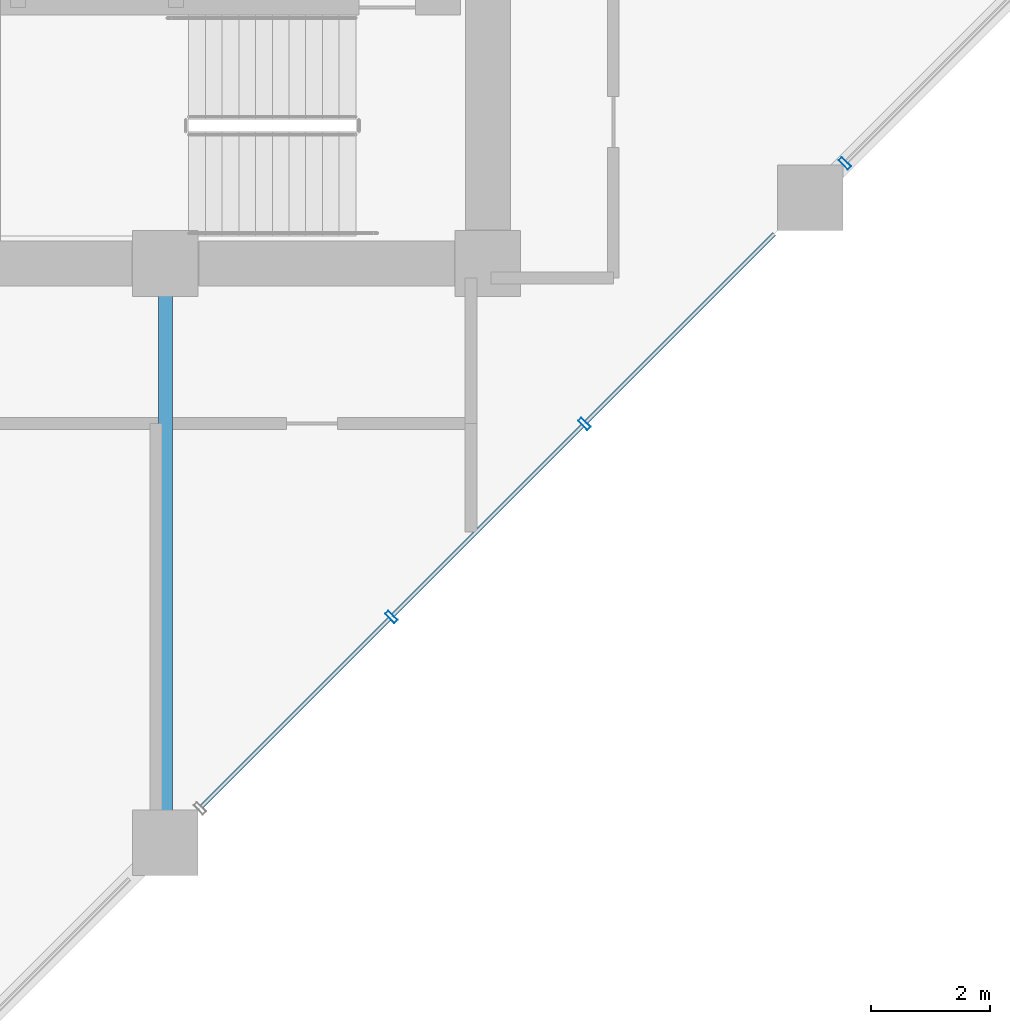
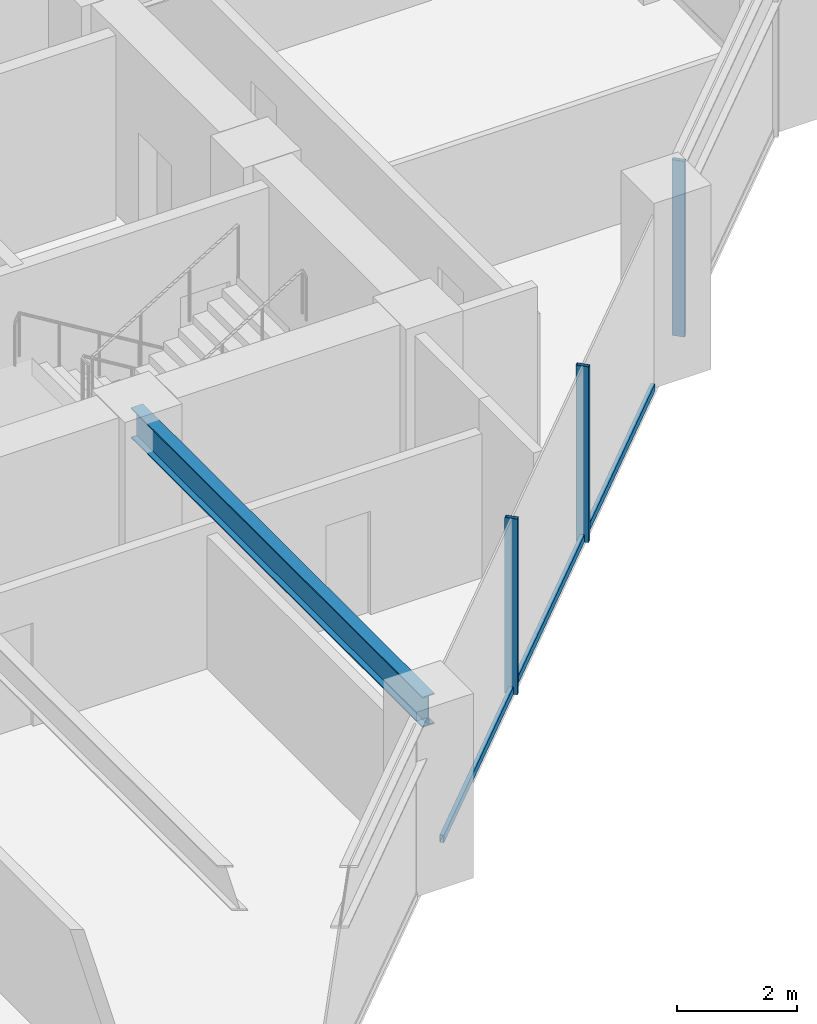
# One storey, part 9 of 29: 6 members, 1 beam, 1 element without a shape of its own.
"""IFC4 building model written with IfcOpenShell, lengths in metres."""

from ifc_helpers import new_model, si_unit, direction, frame, origin, origin_2d, place, context, subcontext, project, spatial, hollow_rectangle, i_section, extrude, material, layer, layer_set, material_profile, profile_set, type_object, element, aggregate, save


model = new_model("IFC4")

# Units and contexts
model_context = context("Model", 3, precision=1e-05, world=origin(), true_north=direction((0.0, 1.0)))
body_context = subcontext(model_context, "Body", "Model", "MODEL_VIEW")
ifc_project = project(units=[si_unit("LENGTHUNIT", "METRE"), si_unit("AREAUNIT", "SQUARE_METRE"), si_unit("VOLUMEUNIT", "CUBIC_METRE"), si_unit("PLANEANGLEUNIT", "RADIAN"), si_unit("MASSUNIT", "GRAM", prefix="KILO")], contexts=[model_context])

# Site, building, storey
site_placement = place(None, origin())
site = spatial("IfcSite", under=ifc_project, at=site_placement, CompositionType="ELEMENT")
building_placement = place(site_placement, origin())
building = spatial("IfcBuilding", under=site, at=building_placement, Name="Surkhivell Harbour Commons", CompositionType="ELEMENT")
storey_placement = place(building_placement, frame((0.0, 0.0, 87.0)))
storey = spatial("IfcBuildingStorey", under=building, at=storey_placement, Name="L22", CompositionType="ELEMENT", Elevation=87.0)

# Beam
ifc_material_1 = material(Name="Steel S355", Category="steel")
ifc_material_profile_1 = material_profile(ifc_material_1, i_section(OverallWidth=0.22998046875, OverallDepth=0.616943359375, WebThickness=0.01318359375, FlangeThickness=0.022216796875, at=origin_2d()), Name="UB610x229x140")
ifc_profile_set_1 = profile_set([ifc_material_profile_1], Name="Steel S355")
beam_type = type_object("IfcBeamType", Name="BM-GRD-610B", PredefinedType="BEAM", material=ifc_profile_set_1)
beam_placement = place(storey_placement, frame((5.39990234375, -20.5, 3.261474609375), z_axis=(0.0, 1.0, 0.0), x_axis=(-1.0, 0.0, 0.0)))
element("IfcBeam", 1, at=beam_placement, inside=storey, type_object=beam_type, Name="L22 Floor Girder (5.4,-20.5)", PredefinedType="BEAM", context=body_context, shape_type="SweptSolid", body=[
    extrude(i_section(OverallWidth=0.22998046875, OverallDepth=0.616943359375, WebThickness=0.01318359375, FlangeThickness=0.022216796875, at=origin_2d()), origin(), (0.0, 0.0, 1.0), 9.699951171875),
])

# Curtain wall, members
ifc_material_2 = material(Name="Anodised pale-metal aluminium and insulated glazing", Category="aluminium")
ifc_layer = layer(ifc_material_2, 0.205078125)
ifc_layer_set = layer_set([ifc_layer], Name="Anodised pale-metal aluminium and insulated glazing")
curtain_wall_type = type_object("IfcCurtainWallType", Name="CW-SYS-Z2", PredefinedType="NOTDEFINED", material=ifc_layer_set)
curtain_wall_placement = place(storey_placement, origin())
curtain_wall = element("IfcCurtainWall", 2, at=curtain_wall_placement, inside=storey, type_object=curtain_wall_type, Name="L22 Curtain Wall CW-L22-E01", PredefinedType="NOTDEFINED")
ifc_material_3 = material(Name="Anodised pale-metal aluminium alloy 6063-T6", Category="aluminium")
ifc_material_profile_2 = material_profile(ifc_material_3, hollow_rectangle(XDim=0.074951171875, YDim=0.219970703125, WallThickness=0.00390625, at=origin_2d()), Name="ALU-MULL-75x220")
ifc_profile_set_2 = profile_set([ifc_material_profile_2], Name="Anodised pale-metal aluminium alloy 6063-T6")
member_type_1 = type_object("IfcMemberType", Name="CWM-220", PredefinedType="MULLION", material=ifc_profile_set_2)
member_1_placement = place(storey_placement, frame((9.183837890625, -16.716064453125, 0.0), z_axis=(0.0, 0.0, 1.0), x_axis=(0.707106781187, 0.707106781187, 0.0)))
member_1 = element("IfcMember", 3, at=member_1_placement, type_object=member_type_1, Name="CW-Z2 mullion 3", PredefinedType="MULLION", context=body_context, shape_type="SweptSolid", body=[
    extrude(hollow_rectangle(XDim=0.074951171875, YDim=0.219970703125, WallThickness=0.00390625, at=origin_2d()), origin(), (0.0, 0.0, 1.0), 3.570068359375),
])
member_2_placement = place(storey_placement, frame((12.416015625, -13.48388671875, 0.0), z_axis=(0.0, 0.0, 1.0), x_axis=(0.707106781187, 0.707106781187, 0.0)))
member_2 = element("IfcMember", 4, at=member_2_placement, type_object=member_type_1, Name="CW-Z2 mullion 4", PredefinedType="MULLION", context=body_context, shape_type="SweptSolid", body=[
    extrude(hollow_rectangle(XDim=0.074951171875, YDim=0.219970703125, WallThickness=0.00390625, at=origin_2d()), origin(), (0.0, 0.0, 1.0), 3.570068359375),
])
member_3_placement = place(storey_placement, frame((16.7783203125, -9.121826171875, 0.0), z_axis=(0.0, 0.0, 1.0), x_axis=(0.707106781187, 0.707106781187, 0.0)))
member_3 = element("IfcMember", 5, at=member_3_placement, type_object=member_type_1, Name="CW-Z2 mullion 5", PredefinedType="MULLION", context=body_context, shape_type="SweptSolid", body=[
    extrude(hollow_rectangle(XDim=0.074951171875, YDim=0.219970703125, WallThickness=0.00390625, at=origin_2d()), origin(), (0.0, 0.0, 1.0), 3.570068359375),
])
ifc_material_profile_3 = material_profile(ifc_material_3, hollow_rectangle(XDim=0.074951171875, YDim=0.14990234375, WallThickness=0.00341796875, at=origin_2d()), Name="ALU-TRAN-75x150")
ifc_profile_set_3 = profile_set([ifc_material_profile_3], Name="Anodised pale-metal aluminium alloy 6063-T6")
member_type_2 = type_object("IfcMemberType", Name="CWT-150", PredefinedType="USERDEFINED", material=ifc_profile_set_3)
member_4_placement = place(storey_placement, frame((6.004638671875, -19.895263671875, 0.074951171875), z_axis=(0.707134159244, 0.707079402069, 0.0), x_axis=(-0.707079402069, 0.707134159244, 0.0)))
member_4 = element("IfcMember", 6, at=member_4_placement, type_object=member_type_2, Name="CW-Z2 transom 2.1", ObjectType="TRANSOM", PredefinedType="USERDEFINED", context=body_context, shape_type="SweptSolid", body=[
    extrude(hollow_rectangle(XDim=0.074951171875, YDim=0.14990234375, WallThickness=0.00341796875, at=origin_2d()), origin(), (0.0, 0.0, 1.0), 4.45849609375),
])
member_5_placement = place(storey_placement, frame((9.21044921875, -16.689697265625, 0.074951171875), z_axis=(0.707106781187, 0.707106781187, 0.0), x_axis=(-0.707106781187, 0.707106781187, 0.0)))
member_5 = element("IfcMember", 7, at=member_5_placement, type_object=member_type_2, Name="CW-Z2 transom 3.1", ObjectType="TRANSOM", PredefinedType="USERDEFINED", context=body_context, shape_type="SweptSolid", body=[
    extrude(hollow_rectangle(XDim=0.074951171875, YDim=0.14990234375, WallThickness=0.00341796875, at=origin_2d()), origin(), (0.0, 0.0, 1.0), 4.49609375),
])
member_6_placement = place(storey_placement, frame((12.442626953125, -13.457275390625, 0.074951171875), z_axis=(0.707106781187, 0.707106781187, 0.0), x_axis=(-0.707106781187, 0.707106781187, 0.0)))
member_6 = element("IfcMember", 8, at=member_6_placement, type_object=member_type_2, Name="CW-Z2 transom 4.1", ObjectType="TRANSOM", PredefinedType="USERDEFINED", context=body_context, shape_type="SweptSolid", body=[
    extrude(hollow_rectangle(XDim=0.074951171875, YDim=0.14990234375, WallThickness=0.00341796875, at=origin_2d()), origin(), (0.0, 0.0, 1.0), 4.45849609375),
])
aggregate(curtain_wall, [member_1, member_2, member_4, member_5, member_6, member_3])

save(model, "model.ifc")
